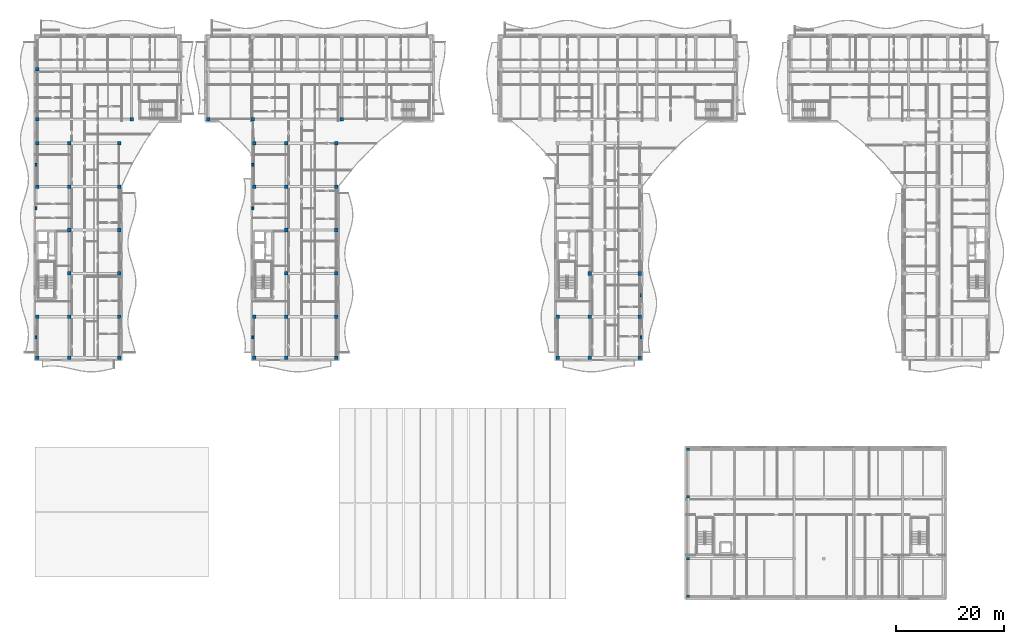
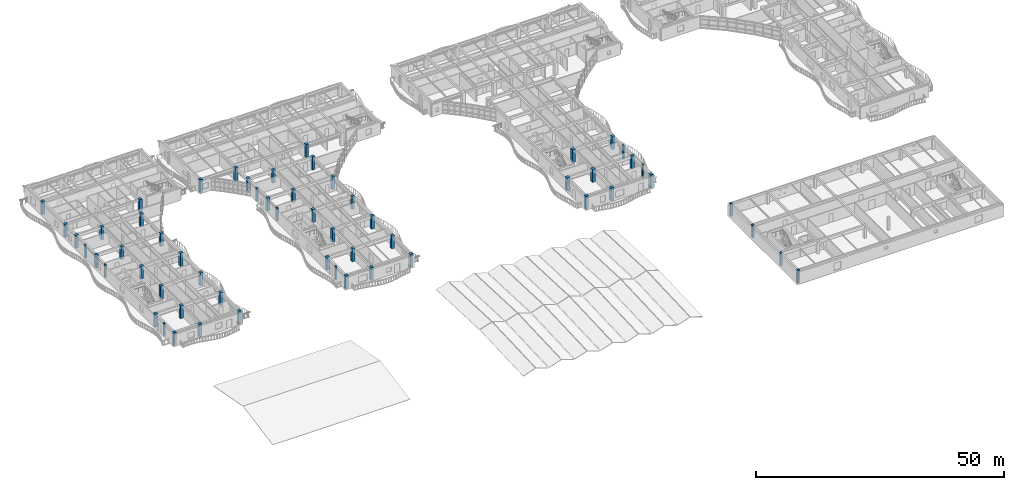
# One storey, part 1 of 89: 58 columns.
"""IFC4 building model written with IfcOpenShell, lengths in metres."""

from ifc_helpers import new_model, si_unit, direction, frame, origin, origin_2d, place, context, subcontext, project, spatial, rectangle, extrude, material, material_profile, profile_set, type_object, element, save


model = new_model("IFC4")

# Units and contexts
model_context = context("Model", 3, precision=1e-05, world=origin(), true_north=direction((0.0, 1.0)))
body_context = subcontext(model_context, "Body", "Model", "MODEL_VIEW")
ifc_project = project(units=[si_unit("LENGTHUNIT", "METRE"), si_unit("AREAUNIT", "SQUARE_METRE"), si_unit("VOLUMEUNIT", "CUBIC_METRE"), si_unit("PLANEANGLEUNIT", "RADIAN"), si_unit("MASSUNIT", "GRAM", prefix="KILO")], contexts=[model_context])

# Site, building, storey
site_placement = place(None, origin())
site = spatial("IfcSite", under=ifc_project, at=site_placement, CompositionType="ELEMENT")
building_placement = place(site_placement, origin())
building = spatial("IfcBuilding", under=site, at=building_placement, Name="Keldmere Railside Commons", CompositionType="ELEMENT")
storey_placement = place(building_placement, frame((0.0, 0.0, 7.360107421875)))
storey = spatial("IfcBuildingStorey", under=building, at=storey_placement, Name="L02", CompositionType="ELEMENT", Elevation=7.360107421875)

# Columns
ifc_material_1 = material(Name="Architectural Precast Concrete H-35 (C35/45)", Category="concrete")
ifc_material_profile_1 = material_profile(ifc_material_1, rectangle(XDim=0.35009765625, YDim=0.550048828125, at=origin_2d()), Name="RC-350x550")
ifc_profile_set_1 = profile_set([ifc_material_profile_1], Name="Architectural Precast Concrete H-35 (C35/45)")
column_type_1 = type_object("IfcColumnType", Name="Facade Precast Pilaster Column 350x550", PredefinedType="PILASTER", material=ifc_profile_set_1)
for number, where, z_axis, x_axis, name in (
    (1, (8.219970703125, 60.199951171875, 0.0), (0.0, 0.0, 1.0), (1.0, 0.0, 0.0), "C-PIL COL-L02-0012"),
    (2, (8.219970703125, 84.0, 0.0), (0.0, 0.0, 1.0), (1.0, 0.0, 0.0), "C-PIL COL-L02-0017"),
    (3, (8.219970703125, 92.0, 0.0), (0.0, 0.0, 1.0), (1.0, 0.0, 0.0), "C-PIL COL-L02-0022"),
    (4, (48.219970703125, 60.199951171875, 0.0), (0.0, 0.0, 1.0), (1.0, 0.0, 0.0), "C-PIL COL-L02-0419"),
    (5, (48.219970703125, 84.0, 0.0), (0.0, 0.0, 1.0), (1.0, 0.0, 0.0), "C-PIL COL-L02-0424"),
    (6, (48.219970703125, 92.0, 0.0), (0.0, 0.0, 1.0), (1.0, 0.0, 0.0), "C-PIL COL-L02-0429"),
    (7, (119.780029296875, 60.199951171875, 0.0), (0.0, 0.0, 1.0), (1.0, 0.0, 0.0), "C-PIL COL-L02-1207"),
    (8, (119.780029296875, 68.0, 0.0), (0.0, 0.0, 1.0), (1.0, 0.0, 0.0), "C-PIL COL-L02-1212"),
):
    element("IfcColumn", number, at=place(storey_placement, frame(where, z_axis=z_axis, x_axis=x_axis)), inside=storey, type_object=column_type_1, Name=name, PredefinedType="PILASTER", context=body_context, shape_type="SweptSolid", body=[
        extrude(rectangle(XDim=0.35009765625, YDim=0.550048828125, at=origin_2d()), origin(), (0.0, 0.0, 1.0), 3.199951171875),
    ])
ifc_material_2 = material(Name="Concrete H-40 (C40/50)", Category="concrete")
ifc_material_profile_2 = material_profile(ifc_material_2, rectangle(XDim=0.699951171875, YDim=0.699951171875, at=origin_2d()), Name="RC-700x700")
ifc_profile_set_2 = profile_set([ifc_material_profile_2], Name="Concrete H-40 (C40/50)")
column_type_2 = type_object("IfcColumnType", Name="Lower Residential RC Column 700x700", PredefinedType="COLUMN", material=ifc_profile_set_2)
for number, where, z_axis, x_axis, name in (
    (9, (104.449951171875, 56.449951171875, 0.0), (0.0, 0.0, 1.0), (1.0, 0.0, 0.0), "C-700 COL-L02-0923"),
    (10, (104.449951171875, 64.0, 0.0), (0.0, 0.0, 1.0), (1.0, 0.0, 0.0), "C-700 COL-L02-0932"),
    (11, (110.35009765625, 56.449951171875, 0.0), (0.0, 0.0, 1.0), (1.0, 0.0, 0.0), "C-700 COL-L02-1017"),
    (12, (110.35009765625, 64.0, 0.0), (0.0, 0.0, 1.0), (1.0, 0.0, 0.0), "C-700 COL-L02-1026"),
    (13, (110.35009765625, 72.0, 0.0), (0.0, 0.0, 1.0), (1.0, 0.0, 0.0), "C-700 COL-L02-1038"),
    (14, (119.550048828125, 56.449951171875, 0.0), (0.0, 0.0, 1.0), (1.0, 0.0, 0.0), "C-700 COL-L02-1134"),
    (15, (119.550048828125, 64.0, 0.0), (0.0, 0.0, 1.0), (1.0, 0.0, 0.0), "C-700 COL-L02-1143"),
    (16, (119.550048828125, 72.0, 0.0), (0.0, 0.0, 1.0), (1.0, 0.0, 0.0), "C-700 COL-L02-1155"),
):
    element("IfcColumn", number, at=place(storey_placement, frame(where, z_axis=z_axis, x_axis=x_axis)), inside=storey, type_object=column_type_2, Name=name, PredefinedType="COLUMN", context=body_context, shape_type="SweptSolid", body=[
        extrude(rectangle(XDim=0.699951171875, YDim=0.699951171875, at=origin_2d()), origin(), (0.0, 0.0, 1.0), 3.199951171875),
    ])
ifc_material_profile_3 = material_profile(ifc_material_2, rectangle(XDim=0.64990234375, YDim=0.64990234375, at=origin_2d()), Name="RC-650x650")
ifc_profile_set_3 = profile_set([ifc_material_profile_3], Name="Concrete H-40 (C40/50)")
column_type_3 = type_object("IfcColumnType", Name="Podium RC Column 650x650", PredefinedType="COLUMN", material=ifc_profile_set_3)
for number, where, z_axis, x_axis, name in (
    (17, (8.449951171875, 56.449951171875, 0.0), (0.0, 0.0, 1.0), (1.0, 0.0, 0.0), "C-650 COL-L02-0042"),
    (18, (8.449951171875, 64.0, 0.0), (0.0, 0.0, 1.0), (1.0, 0.0, 0.0), "C-650 COL-L02-0048"),
    (19, (8.449951171875, 88.0, 0.0), (0.0, 0.0, 1.0), (1.0, 0.0, 0.0), "C-650 COL-L02-0056"),
    (20, (8.449951171875, 96.0, 0.0), (0.0, 0.0, 1.0), (1.0, 0.0, 0.0), "C-650 COL-L02-0065"),
    (21, (8.449951171875, 100.449951171875, 0.0), (0.0, 0.0, 1.0), (1.0, 0.0, 0.0), "C-650 COL-L02-0074"),
    (22, (8.449951171875, 109.64990234375, 0.0), (0.0, 0.0, 1.0), (1.0, 0.0, 0.0), "C-650 COL-L02-0084"),
    (23, (14.35009765625, 56.449951171875, 0.0), (0.0, 0.0, 1.0), (1.0, 0.0, 0.0), "C-650 COL-L02-0100"),
    (24, (14.35009765625, 64.0, 0.0), (0.0, 0.0, 1.0), (1.0, 0.0, 0.0), "C-650 COL-L02-0106"),
    (25, (14.35009765625, 72.0, 0.0), (0.0, 0.0, 1.0), (1.0, 0.0, 0.0), "C-650 COL-L02-0114"),
    (26, (14.35009765625, 80.0, 0.0), (0.0, 0.0, 1.0), (1.0, 0.0, 0.0), "C-650 COL-L02-0123"),
    (27, (14.35009765625, 88.0, 0.0), (0.0, 0.0, 1.0), (1.0, 0.0, 0.0), "C-650 COL-L02-0132"),
    (28, (14.35009765625, 96.0, 0.0), (0.0, 0.0, 1.0), (1.0, 0.0, 0.0), "C-650 COL-L02-0141"),
    (29, (23.550048828125, 56.449951171875, 0.0), (0.0, 0.0, 1.0), (1.0, 0.0, 0.0), "C-650 COL-L02-0187"),
    (30, (23.550048828125, 64.0, 0.0), (0.0, 0.0, 1.0), (1.0, 0.0, 0.0), "C-650 COL-L02-0193"),
    (31, (23.550048828125, 72.0, 0.0), (0.0, 0.0, 1.0), (1.0, 0.0, 0.0), "C-650 COL-L02-0201"),
    (32, (23.550048828125, 80.0, 0.0), (0.0, 0.0, 1.0), (1.0, 0.0, 0.0), "C-650 COL-L02-0210"),
    (33, (23.550048828125, 88.0, 0.0), (0.0, 0.0, 1.0), (1.0, 0.0, 0.0), "C-650 COL-L02-0219"),
    (34, (23.550048828125, 96.0, 0.0), (0.0, 0.0, 1.0), (1.0, 0.0, 0.0), "C-650 COL-L02-0228"),
    (35, (25.85009765625, 100.449951171875, 0.0), (0.0, 0.0, 1.0), (1.0, 0.0, 0.0), "C-650 COL-L02-0249"),
    (36, (39.949951171875, 100.449951171875, 0.0), (0.0, 0.0, 1.0), (1.0, 0.0, 0.0), "C-650 COL-L02-0338"),
    (37, (48.169921875, 100.449951171875, 0.0), (0.0, 0.0, 1.0), (1.0, 0.0, 0.0), "C-650 COL-L02-0388"),
    (38, (48.449951171875, 56.449951171875, 0.0), (0.0, 0.0, 1.0), (1.0, 0.0, 0.0), "C-650 COL-L02-0434"),
    (39, (48.449951171875, 64.0, 0.0), (0.0, 0.0, 1.0), (1.0, 0.0, 0.0), "C-650 COL-L02-0441"),
    (40, (48.449951171875, 88.0, 0.0), (0.0, 0.0, 1.0), (1.0, 0.0, 0.0), "C-650 COL-L02-0451"),
    (41, (48.449951171875, 96.0, 0.0), (0.0, 0.0, 1.0), (1.0, 0.0, 0.0), "C-650 COL-L02-0462"),
    (42, (54.35009765625, 56.449951171875, 0.0), (0.0, 0.0, 1.0), (1.0, 0.0, 0.0), "C-650 COL-L02-0480"),
    (43, (54.35009765625, 64.0, 0.0), (0.0, 0.0, 1.0), (1.0, 0.0, 0.0), "C-650 COL-L02-0487"),
    (44, (54.35009765625, 72.0, 0.0), (0.0, 0.0, 1.0), (1.0, 0.0, 0.0), "C-650 COL-L02-0497"),
    (45, (54.35009765625, 80.0, 0.0), (0.0, 0.0, 1.0), (1.0, 0.0, 0.0), "C-650 COL-L02-0508"),
    (46, (54.35009765625, 88.0, 0.0), (0.0, 0.0, 1.0), (1.0, 0.0, 0.0), "C-650 COL-L02-0519"),
    (47, (54.35009765625, 96.0, 0.0), (0.0, 0.0, 1.0), (1.0, 0.0, 0.0), "C-650 COL-L02-0530"),
    (48, (63.550048828125, 56.449951171875, 0.0), (0.0, 0.0, 1.0), (1.0, 0.0, 0.0), "C-650 COL-L02-0566"),
    (49, (63.550048828125, 64.0, 0.0), (0.0, 0.0, 1.0), (1.0, 0.0, 0.0), "C-650 COL-L02-0573"),
    (50, (63.550048828125, 72.0, 0.0), (0.0, 0.0, 1.0), (1.0, 0.0, 0.0), "C-650 COL-L02-0583"),
    (51, (63.550048828125, 80.0, 0.0), (0.0, 0.0, 1.0), (1.0, 0.0, 0.0), "C-650 COL-L02-0594"),
    (52, (63.550048828125, 88.0, 0.0), (0.0, 0.0, 1.0), (1.0, 0.0, 0.0), "C-650 COL-L02-0605"),
    (53, (63.550048828125, 96.0, 0.0), (0.0, 0.0, 1.0), (1.0, 0.0, 0.0), "C-650 COL-L02-0616"),
    (54, (64.610107421875, 100.449951171875, 0.0), (0.0, 0.0, 1.0), (1.0, 0.0, 0.0), "C-650 COL-L02-0642"),
):
    element("IfcColumn", number, at=place(storey_placement, frame(where, z_axis=z_axis, x_axis=x_axis)), inside=storey, type_object=column_type_3, Name=name, PredefinedType="COLUMN", context=body_context, shape_type="SweptSolid", body=[
        extrude(rectangle(XDim=0.64990234375, YDim=0.64990234375, at=origin_2d()), origin(), (0.0, 0.0, 1.0), 3.199951171875),
    ])
ifc_material_3 = material(Name="Concrete H-35 (C35/45)", Category="concrete")
ifc_material_profile_4 = material_profile(ifc_material_3, rectangle(XDim=0.5, YDim=0.5, at=origin_2d()), Name="RC-500x500")
ifc_profile_set_4 = profile_set([ifc_material_profile_4], Name="Concrete H-35 (C35/45)")
column_type_4 = type_object("IfcColumnType", Name="Upper Residential RC Column 500x500", PredefinedType="COLUMN", material=ifc_profile_set_4)
for number, where, z_axis, x_axis, name in (
    (55, (128.449951171875, 12.449951171875, 0.0), (0.0, 0.0, 1.0), (1.0, 0.0, 0.0), "C-500 COL-L02-1279"),
    (56, (128.449951171875, 19.39990234375, 0.0), (0.0, 0.0, 1.0), (1.0, 0.0, 0.0), "C-500 COL-L02-1283"),
    (57, (128.449951171875, 30.800048828125, 0.0), (0.0, 0.0, 1.0), (1.0, 0.0, 0.0), "C-500 COL-L02-1287"),
    (58, (128.449951171875, 39.550048828125, 0.0), (0.0, 0.0, 1.0), (1.0, 0.0, 0.0), "C-500 COL-L02-1291"),
):
    element("IfcColumn", number, at=place(storey_placement, frame(where, z_axis=z_axis, x_axis=x_axis)), inside=storey, type_object=column_type_4, Name=name, PredefinedType="COLUMN", context=body_context, shape_type="SweptSolid", body=[
        extrude(rectangle(XDim=0.5, YDim=0.5, at=origin_2d()), origin(), (0.0, 0.0, 1.0), 3.199951171875),
    ])

save(model, "model.ifc")
